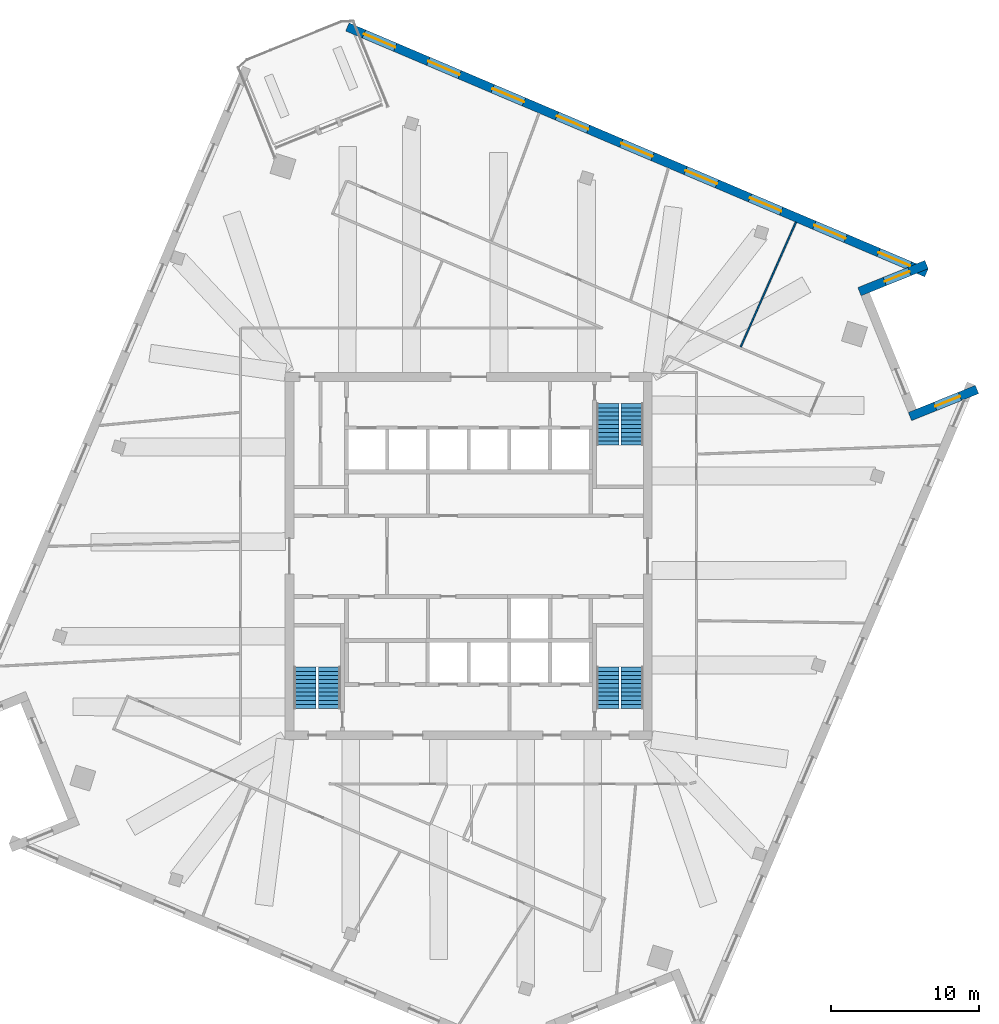
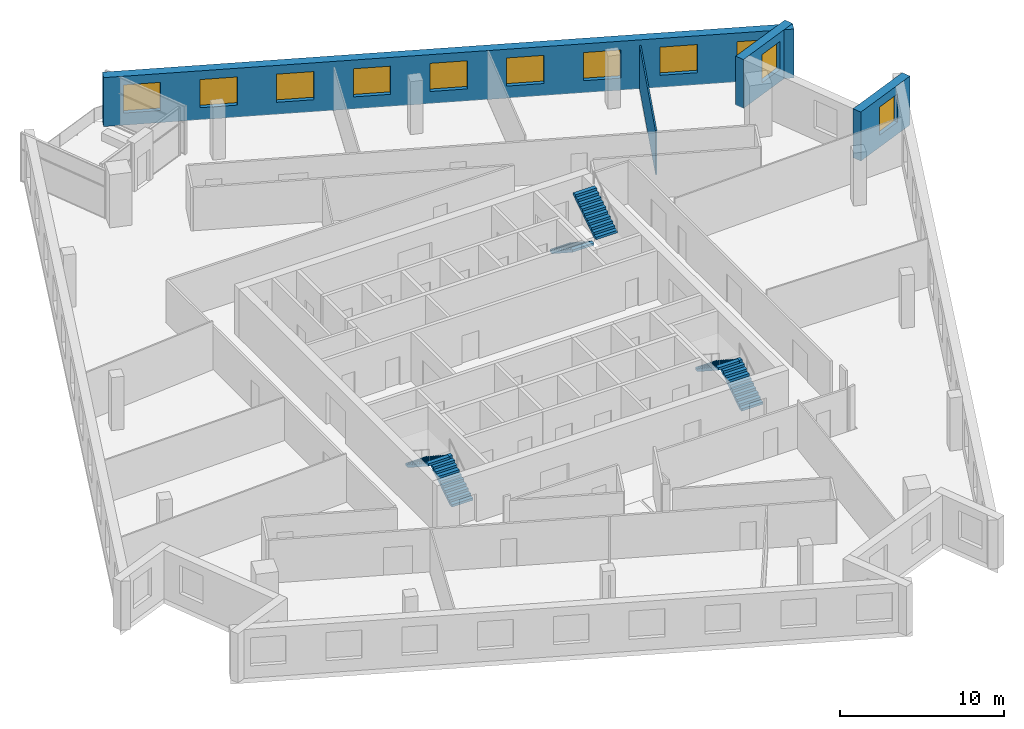
# One storey, part 11 of 13: 11 windows, 6 stair flights, 4 walls, 11 openings, 3 elements without a shape of their own.
"""IFC4 building model written with IfcOpenShell, lengths in metres."""

from ifc_helpers import new_model, si_unit, direction, frame, frame_2d, origin, place, context, subcontext, project, spatial, polyline, rectangle, outline, extrude, material, layer, layer_set, type_object, element, fill, aggregate, save


model = new_model("IFC4")

# Units and contexts
model_context = context("Model", 3, precision=1e-05, world=origin(), true_north=direction((0.0, 1.0)))
body_context = subcontext(model_context, "Body", "Model", "MODEL_VIEW")
ifc_project = project(units=[si_unit("LENGTHUNIT", "METRE"), si_unit("AREAUNIT", "SQUARE_METRE"), si_unit("VOLUMEUNIT", "CUBIC_METRE"), si_unit("PLANEANGLEUNIT", "RADIAN"), si_unit("MASSUNIT", "GRAM", prefix="KILO")], contexts=[model_context])

# Site, building, storey
site_placement = place(None, origin())
site = spatial("IfcSite", under=ifc_project, at=site_placement, CompositionType="ELEMENT")
building_placement = place(site_placement, origin())
building = spatial("IfcBuilding", under=site, at=building_placement, Name="Dilmun Exchange Tower", CompositionType="ELEMENT")
storey_placement = place(building_placement, frame((0.0, 0.0, 296.5)))
storey = spatial("IfcBuildingStorey", under=building, at=storey_placement, Name="L70", CompositionType="ELEMENT", Elevation=296.5)

# Wall
ifc_material_1 = material(Name="Partition 100")
ifc_layer_1 = layer(ifc_material_1, 0.10009765625)
ifc_layer_set_1 = layer_set([ifc_layer_1], Name="Partition 100")
wall_type_1 = type_object("IfcWallType", Name="Partition 100", PredefinedType="PARTITIONING", material=ifc_layer_set_1)
wall_1_placement = place(storey_placement, frame((18.378662109375, 14.13525390625, 0.0), z_axis=(0.0, 0.0, 1.0), x_axis=(0.405094962362, 0.91427461491, 0.0)))
element("IfcWall", 1, at=wall_1_placement, inside=storey, type_object=wall_type_1, Name="Partition", PredefinedType="PARTITIONING", context=body_context, shape_type="SweptSolid", body=[
    extrude(rectangle(XDim=9.20654296875, YDim=0.10009765625, at=frame_2d((4.603271484375, 0.0))), origin(), (0.0, 0.0, 1.0), 3.25),
])

# Wall, opening, window
ifc_material_2 = material(Name="Precast concrete C50/60", Category="concrete")
ifc_layer_2 = layer(ifc_material_2, 0.60009765625)
ifc_layer_set_2 = layer_set([ifc_layer_2], Name="Precast concrete C50/60")
wall_type_2 = type_object("IfcWallType", Name="Precast stone-clad wall 600", PredefinedType="STANDARD", material=ifc_layer_set_2)
wall_2_placement = place(storey_placement, frame((34.339599609375, 11.254638671875, 0.0), z_axis=(0.0, 0.0, 1.0), x_axis=(-0.927189106571, -0.374593593988, 0.0)))
wall_2 = element("IfcWall", 2, at=wall_2_placement, inside=storey, type_object=wall_type_2, Name="Facade wall L70-12", PredefinedType="STANDARD", context=body_context, shape_type="SweptSolid", body=[
    extrude(rectangle(XDim=4.885498046875, YDim=0.60009765625, at=frame_2d((2.44287109375, 0.0))), origin(), (0.0, 0.0, 1.0), 3.64990234375),
])
opening_1_placement = place(wall_2_placement, frame((1.242919921875, 0.0, 0.89990234375)))
opening_1 = element("IfcOpeningElement", 3, at=opening_1_placement, cuts=wall_2, Name="Opening W180-210", PredefinedType="OPENING", context=body_context, shape_type="SweptSolid", body=[
    extrude(rectangle(XDim=1.800048828125, YDim=2.10009765625, at=frame_2d((0.89990234375, 1.050048828125))), frame((0.0, 0.31005859375, 0.0), z_axis=(0.0, -1.0, 0.0), x_axis=(1.0, 0.0, 0.0)), (0.0, 0.0, 1.0), 0.6201171875),
])
ifc_material_3 = material(Name="Clear low-emissivity glass in aluminium frame", Category="aluminium")
window_type_1 = type_object("IfcWindowType", Name="Punched window 1800 x 2100", PartitioningType="DOUBLE_PANEL_VERTICAL", PredefinedType="WINDOW", material=ifc_material_3)
window_1_placement = place(opening_1_placement, origin())
window_1 = element("IfcWindow", 4, at=window_1_placement, inside=storey, type_object=window_type_1, Name="Window 13.1", OverallHeight=2.10009765625, OverallWidth=1.800048828125, PartitioningType="SINGLE_PANEL", PredefinedType="WINDOW", context=body_context, shape_type="SweptSolid", body=[
    extrude(rectangle(XDim=1.800048828125, YDim=2.10009765625, at=frame_2d((0.89990234375, 1.050048828125))), frame((0.0, 0.030029296875, 0.0), z_axis=(0.0, -1.0, 0.0), x_axis=(1.0, 0.0, 0.0)), (0.0, 0.0, 1.0), 0.06005859375),
])
fill(opening_1, window_1)

wall_3_placement = place(storey_placement, frame((26.40087890625, 17.86181640625, 0.0), z_axis=(0.0, 0.0, 1.0), x_axis=(0.927189106571, 0.374593593988, 0.0)))
wall_3 = element("IfcWall", 5, at=wall_3_placement, inside=storey, type_object=wall_type_2, Name="Facade wall L70-14", PredefinedType="STANDARD", context=body_context, shape_type="SweptSolid", body=[
    extrude(rectangle(XDim=4.885498046875, YDim=0.60009765625, at=frame_2d((2.44287109375, 0.0))), origin(), (0.0, 0.0, 1.0), 3.64990234375),
])
opening_2_placement = place(wall_3_placement, frame((1.8427734375, 0.0, 0.89990234375)))
opening_2 = element("IfcOpeningElement", 6, at=opening_2_placement, cuts=wall_3, Name="Opening W180-210", PredefinedType="OPENING", context=body_context, shape_type="SweptSolid", body=[
    extrude(rectangle(XDim=1.800048828125, YDim=2.10009765625, at=frame_2d((0.89990234375, 1.050048828125))), frame((0.0, 0.31005859375, 0.0), z_axis=(0.0, -1.0, 0.0), x_axis=(1.0, 0.0, 0.0)), (0.0, 0.0, 1.0), 0.6201171875),
])
window_2_placement = place(opening_2_placement, origin())
window_2 = element("IfcWindow", 7, at=window_2_placement, inside=storey, type_object=window_type_1, Name="Window 15.1", OverallHeight=2.10009765625, OverallWidth=1.800048828125, PartitioningType="SINGLE_PANEL", PredefinedType="WINDOW", context=body_context, shape_type="SweptSolid", body=[
    extrude(rectangle(XDim=1.800048828125, YDim=2.10009765625, at=frame_2d((0.89990234375, 1.050048828125))), frame((0.0, 0.030029296875, 0.0), z_axis=(0.0, -1.0, 0.0), x_axis=(1.0, 0.0, 0.0)), (0.0, 0.0, 1.0), 0.06005859375),
])
fill(opening_2, window_2)

# Wall, openings, windows
wall_4_placement = place(storey_placement, frame((30.92578125, 19.1376953125, 0.0), z_axis=(0.0, 0.0, 1.0), x_axis=(-0.920504263443, 0.390732518462, 0.0)))
wall_4 = element("IfcWall", 8, at=wall_4_placement, inside=storey, type_object=wall_type_2, Name="Facade wall L70-15", PredefinedType="STANDARD", context=body_context, shape_type="SweptSolid", body=[
    extrude(rectangle(XDim=42.489501953125, YDim=0.60009765625, at=frame_2d((21.24462890625, 0.0))), origin(), (0.0, 0.0, 1.0), 3.64990234375),
])
opening_3_placement = place(wall_4_placement, frame((1.21044921875, 0.0, 0.89990234375)))
opening_3 = element("IfcOpeningElement", 9, at=opening_3_placement, cuts=wall_4, Name="Opening W230-210", PredefinedType="OPENING", context=body_context, shape_type="SweptSolid", body=[
    extrude(rectangle(XDim=2.300048828125, YDim=2.10009765625, at=frame_2d((1.14990234375, 1.050048828125))), frame((0.0, 0.31005859375, 0.0), z_axis=(0.0, -1.0, 0.0), x_axis=(1.0, 0.0, 0.0)), (0.0, 0.0, 1.0), 0.6201171875),
])
opening_4_placement = place(wall_4_placement, frame((5.931640625, 0.0, 0.89990234375)))
opening_4 = element("IfcOpeningElement", 10, at=opening_4_placement, cuts=wall_4, Name="Opening W230-210", PredefinedType="OPENING", context=body_context, shape_type="SweptSolid", body=[
    extrude(rectangle(XDim=2.300048828125, YDim=2.10009765625, at=frame_2d((1.14990234375, 1.050048828125))), frame((0.0, 0.31005859375, 0.0), z_axis=(0.0, -1.0, 0.0), x_axis=(1.0, 0.0, 0.0)), (0.0, 0.0, 1.0), 0.6201171875),
])
opening_5_placement = place(wall_4_placement, frame((10.652587890625, 0.0, 0.89990234375)))
opening_5 = element("IfcOpeningElement", 11, at=opening_5_placement, cuts=wall_4, Name="Opening W230-210", PredefinedType="OPENING", context=body_context, shape_type="SweptSolid", body=[
    extrude(rectangle(XDim=2.300048828125, YDim=2.10009765625, at=frame_2d((1.14990234375, 1.050048828125))), frame((0.0, 0.31005859375, 0.0), z_axis=(0.0, -1.0, 0.0), x_axis=(1.0, 0.0, 0.0)), (0.0, 0.0, 1.0), 0.6201171875),
])
opening_6_placement = place(wall_4_placement, frame((15.373779296875, 0.0, 0.89990234375)))
opening_6 = element("IfcOpeningElement", 12, at=opening_6_placement, cuts=wall_4, Name="Opening W230-210", PredefinedType="OPENING", context=body_context, shape_type="SweptSolid", body=[
    extrude(rectangle(XDim=2.300048828125, YDim=2.10009765625, at=frame_2d((1.14990234375, 1.050048828125))), frame((0.0, 0.31005859375, 0.0), z_axis=(0.0, -1.0, 0.0), x_axis=(1.0, 0.0, 0.0)), (0.0, 0.0, 1.0), 0.6201171875),
])
opening_7_placement = place(wall_4_placement, frame((20.0947265625, 0.0, 0.89990234375)))
opening_7 = element("IfcOpeningElement", 13, at=opening_7_placement, cuts=wall_4, Name="Opening W230-210", PredefinedType="OPENING", context=body_context, shape_type="SweptSolid", body=[
    extrude(rectangle(XDim=2.300048828125, YDim=2.10009765625, at=frame_2d((1.14990234375, 1.050048828125))), frame((0.0, 0.31005859375, 0.0), z_axis=(0.0, -1.0, 0.0), x_axis=(1.0, 0.0, 0.0)), (0.0, 0.0, 1.0), 0.6201171875),
])
opening_8_placement = place(wall_4_placement, frame((24.81591796875, 0.0, 0.89990234375)))
opening_8 = element("IfcOpeningElement", 14, at=opening_8_placement, cuts=wall_4, Name="Opening W230-210", PredefinedType="OPENING", context=body_context, shape_type="SweptSolid", body=[
    extrude(rectangle(XDim=2.300048828125, YDim=2.10009765625, at=frame_2d((1.14990234375, 1.050048828125))), frame((0.0, 0.31005859375, 0.0), z_axis=(0.0, -1.0, 0.0), x_axis=(1.0, 0.0, 0.0)), (0.0, 0.0, 1.0), 0.6201171875),
])
opening_9_placement = place(wall_4_placement, frame((29.536865234375, 0.0, 0.89990234375)))
opening_9 = element("IfcOpeningElement", 15, at=opening_9_placement, cuts=wall_4, Name="Opening W230-210", PredefinedType="OPENING", context=body_context, shape_type="SweptSolid", body=[
    extrude(rectangle(XDim=2.300048828125, YDim=2.10009765625, at=frame_2d((1.14990234375, 1.050048828125))), frame((0.0, 0.31005859375, 0.0), z_axis=(0.0, -1.0, 0.0), x_axis=(1.0, 0.0, 0.0)), (0.0, 0.0, 1.0), 0.6201171875),
])
opening_10_placement = place(wall_4_placement, frame((34.258056640625, 0.0, 0.89990234375)))
opening_10 = element("IfcOpeningElement", 16, at=opening_10_placement, cuts=wall_4, Name="Opening W230-210", PredefinedType="OPENING", context=body_context, shape_type="SweptSolid", body=[
    extrude(rectangle(XDim=2.300048828125, YDim=2.10009765625, at=frame_2d((1.14990234375, 1.050048828125))), frame((0.0, 0.31005859375, 0.0), z_axis=(0.0, -1.0, 0.0), x_axis=(1.0, 0.0, 0.0)), (0.0, 0.0, 1.0), 0.6201171875),
])
opening_11_placement = place(wall_4_placement, frame((38.97900390625, 0.0, 0.89990234375)))
opening_11 = element("IfcOpeningElement", 17, at=opening_11_placement, cuts=wall_4, Name="Opening W230-210", PredefinedType="OPENING", context=body_context, shape_type="SweptSolid", body=[
    extrude(rectangle(XDim=2.300048828125, YDim=2.10009765625, at=frame_2d((1.14990234375, 1.050048828125))), frame((0.0, 0.31005859375, 0.0), z_axis=(0.0, -1.0, 0.0), x_axis=(1.0, 0.0, 0.0)), (0.0, 0.0, 1.0), 0.6201171875),
])
window_type_2 = type_object("IfcWindowType", Name="Punched window 2300 x 2100", PartitioningType="DOUBLE_PANEL_VERTICAL", PredefinedType="WINDOW", material=ifc_material_3)
window_3_placement = place(opening_3_placement, origin())
window_3 = element("IfcWindow", 18, at=window_3_placement, inside=storey, type_object=window_type_2, Name="Window 16.1", OverallHeight=2.10009765625, OverallWidth=2.300048828125, PartitioningType="SINGLE_PANEL", PredefinedType="WINDOW", context=body_context, shape_type="SweptSolid", body=[
    extrude(rectangle(XDim=2.300048828125, YDim=2.10009765625, at=frame_2d((1.14990234375, 1.050048828125))), frame((0.0, 0.030029296875, 0.0), z_axis=(0.0, -1.0, 0.0), x_axis=(1.0, 0.0, 0.0)), (0.0, 0.0, 1.0), 0.06005859375),
])
fill(opening_3, window_3)
window_4_placement = place(opening_4_placement, origin())
window_4 = element("IfcWindow", 19, at=window_4_placement, inside=storey, type_object=window_type_2, Name="Window 16.2", OverallHeight=2.10009765625, OverallWidth=2.300048828125, PartitioningType="SINGLE_PANEL", PredefinedType="WINDOW", context=body_context, shape_type="SweptSolid", body=[
    extrude(rectangle(XDim=2.300048828125, YDim=2.10009765625, at=frame_2d((1.14990234375, 1.050048828125))), frame((0.0, 0.030029296875, 0.0), z_axis=(0.0, -1.0, 0.0), x_axis=(1.0, 0.0, 0.0)), (0.0, 0.0, 1.0), 0.06005859375),
])
fill(opening_4, window_4)
window_5_placement = place(opening_5_placement, origin())
window_5 = element("IfcWindow", 20, at=window_5_placement, inside=storey, type_object=window_type_2, Name="Window 16.3", OverallHeight=2.10009765625, OverallWidth=2.300048828125, PartitioningType="SINGLE_PANEL", PredefinedType="WINDOW", context=body_context, shape_type="SweptSolid", body=[
    extrude(rectangle(XDim=2.300048828125, YDim=2.10009765625, at=frame_2d((1.14990234375, 1.050048828125))), frame((0.0, 0.030029296875, 0.0), z_axis=(0.0, -1.0, 0.0), x_axis=(1.0, 0.0, 0.0)), (0.0, 0.0, 1.0), 0.06005859375),
])
fill(opening_5, window_5)
window_6_placement = place(opening_6_placement, origin())
window_6 = element("IfcWindow", 21, at=window_6_placement, inside=storey, type_object=window_type_2, Name="Window 16.4", OverallHeight=2.10009765625, OverallWidth=2.300048828125, PartitioningType="SINGLE_PANEL", PredefinedType="WINDOW", context=body_context, shape_type="SweptSolid", body=[
    extrude(rectangle(XDim=2.300048828125, YDim=2.10009765625, at=frame_2d((1.14990234375, 1.050048828125))), frame((0.0, 0.030029296875, 0.0), z_axis=(0.0, -1.0, 0.0), x_axis=(1.0, 0.0, 0.0)), (0.0, 0.0, 1.0), 0.06005859375),
])
fill(opening_6, window_6)
window_7_placement = place(opening_7_placement, origin())
window_7 = element("IfcWindow", 22, at=window_7_placement, inside=storey, type_object=window_type_2, Name="Window 16.5", OverallHeight=2.10009765625, OverallWidth=2.300048828125, PartitioningType="SINGLE_PANEL", PredefinedType="WINDOW", context=body_context, shape_type="SweptSolid", body=[
    extrude(rectangle(XDim=2.300048828125, YDim=2.10009765625, at=frame_2d((1.14990234375, 1.050048828125))), frame((0.0, 0.030029296875, 0.0), z_axis=(0.0, -1.0, 0.0), x_axis=(1.0, 0.0, 0.0)), (0.0, 0.0, 1.0), 0.06005859375),
])
fill(opening_7, window_7)
window_8_placement = place(opening_8_placement, origin())
window_8 = element("IfcWindow", 23, at=window_8_placement, inside=storey, type_object=window_type_2, Name="Window 16.6", OverallHeight=2.10009765625, OverallWidth=2.300048828125, PartitioningType="SINGLE_PANEL", PredefinedType="WINDOW", context=body_context, shape_type="SweptSolid", body=[
    extrude(rectangle(XDim=2.300048828125, YDim=2.10009765625, at=frame_2d((1.14990234375, 1.050048828125))), frame((0.0, 0.030029296875, 0.0), z_axis=(0.0, -1.0, 0.0), x_axis=(1.0, 0.0, 0.0)), (0.0, 0.0, 1.0), 0.06005859375),
])
fill(opening_8, window_8)
window_9_placement = place(opening_9_placement, origin())
window_9 = element("IfcWindow", 24, at=window_9_placement, inside=storey, type_object=window_type_2, Name="Window 16.7", OverallHeight=2.10009765625, OverallWidth=2.300048828125, PartitioningType="SINGLE_PANEL", PredefinedType="WINDOW", context=body_context, shape_type="SweptSolid", body=[
    extrude(rectangle(XDim=2.300048828125, YDim=2.10009765625, at=frame_2d((1.14990234375, 1.050048828125))), frame((0.0, 0.030029296875, 0.0), z_axis=(0.0, -1.0, 0.0), x_axis=(1.0, 0.0, 0.0)), (0.0, 0.0, 1.0), 0.06005859375),
])
fill(opening_9, window_9)
window_10_placement = place(opening_10_placement, origin())
window_10 = element("IfcWindow", 25, at=window_10_placement, inside=storey, type_object=window_type_2, Name="Window 16.8", OverallHeight=2.10009765625, OverallWidth=2.300048828125, PartitioningType="SINGLE_PANEL", PredefinedType="WINDOW", context=body_context, shape_type="SweptSolid", body=[
    extrude(rectangle(XDim=2.300048828125, YDim=2.10009765625, at=frame_2d((1.14990234375, 1.050048828125))), frame((0.0, 0.030029296875, 0.0), z_axis=(0.0, -1.0, 0.0), x_axis=(1.0, 0.0, 0.0)), (0.0, 0.0, 1.0), 0.06005859375),
])
fill(opening_10, window_10)
window_11_placement = place(opening_11_placement, origin())
window_11 = element("IfcWindow", 26, at=window_11_placement, inside=storey, type_object=window_type_2, Name="Window 16.9", OverallHeight=2.10009765625, OverallWidth=2.300048828125, PartitioningType="SINGLE_PANEL", PredefinedType="WINDOW", context=body_context, shape_type="SweptSolid", body=[
    extrude(rectangle(XDim=2.300048828125, YDim=2.10009765625, at=frame_2d((1.14990234375, 1.050048828125))), frame((0.0, 0.030029296875, 0.0), z_axis=(0.0, -1.0, 0.0), x_axis=(1.0, 0.0, 0.0)), (0.0, 0.0, 1.0), 0.06005859375),
])
fill(opening_11, window_11)

# Stair, stair flights
ifc_material_4 = material(Name="Concrete C40/50", Category="concrete")
stair_type = type_object("IfcStairType", Name="Exit stair 1500 half-turn", PredefinedType="HALF_TURN_STAIR", material=ifc_material_4)
stair_1_placement = place(storey_placement, origin())
stair_1 = element("IfcStair", 27, at=stair_1_placement, inside=storey, type_object=stair_type, Name="L70 Protected exit stair ST1", PredefinedType="HALF_TURN_STAIR")
stair_flight_type = type_object("IfcStairFlightType", Name="Exit stair flight 1500", PredefinedType="STRAIGHT", material=ifc_material_4)
stair_flight_1_placement = place(storey_placement, frame((9.39990234375, 10.300048828125, 0.0), z_axis=(0.0, 0.0, 1.0), x_axis=(0.0, -1.0, 0.0)))
stair_flight_1 = element("IfcStairFlight", 28, at=stair_flight_1_placement, type_object=stair_flight_type, Name="ST1 flight 1", NumberOfRisers=11, NumberOfTreads=10, PredefinedType="STRAIGHT", RiserHeight=0.181818182, TreadLength=0.28, context=body_context, shape_type="SweptSolid", body=[
    extrude(outline(polyline([(0.0, 0.0), (0.0, 0.181884765625), (0.280029296875, 0.181884765625), (0.280029296875, 0.363525390625), (0.56005859375, 0.363525390625), (0.56005859375, 0.54541015625), (0.840087890625, 0.54541015625), (0.840087890625, 0.727294921875), (1.1201171875, 0.727294921875), (1.1201171875, 0.9091796875), (1.39990234375, 0.9091796875), (1.39990234375, 1.0908203125), (1.679931640625, 1.0908203125), (1.679931640625, 1.272705078125), (1.9599609375, 1.272705078125), (1.9599609375, 1.45458984375), (2.239990234375, 1.45458984375), (2.239990234375, 1.636474609375), (2.52001953125, 1.636474609375), (2.52001953125, 1.818115234375), (2.800048828125, 1.818115234375), (2.800048828125, 2.0), (2.800048828125, 1.639404296875), (0.275146484375, 0.0), (0.0, 0.0)])), frame((0.0, 0.75, 0.0), z_axis=(0.0, -1.0, 0.0), x_axis=(1.0, 0.0, 0.0)), (0.0, 0.0, 1.0), 1.5),
])
stair_flight_2_placement = place(storey_placement, frame((11.050048828125, 7.5, 2.0), z_axis=(0.0, 0.0, 1.0), x_axis=(0.0, 1.0, 0.0)))
stair_flight_2 = element("IfcStairFlight", 29, at=stair_flight_2_placement, type_object=stair_flight_type, Name="ST1 flight 2", NumberOfRisers=11, NumberOfTreads=10, PredefinedType="STRAIGHT", RiserHeight=0.181818182, TreadLength=0.28, context=body_context, shape_type="SweptSolid", body=[
    extrude(outline(polyline([(0.0, 0.0), (0.0, 0.181884765625), (0.280029296875, 0.181884765625), (0.280029296875, 0.363525390625), (0.56005859375, 0.363525390625), (0.56005859375, 0.54541015625), (0.840087890625, 0.54541015625), (0.840087890625, 0.727294921875), (1.1201171875, 0.727294921875), (1.1201171875, 0.9091796875), (1.39990234375, 0.9091796875), (1.39990234375, 1.0908203125), (1.679931640625, 1.0908203125), (1.679931640625, 1.272705078125), (1.9599609375, 1.272705078125), (1.9599609375, 1.45458984375), (2.239990234375, 1.45458984375), (2.239990234375, 1.636474609375), (2.52001953125, 1.636474609375), (2.52001953125, 1.818115234375), (2.800048828125, 1.818115234375), (2.800048828125, 2.0), (2.800048828125, 1.639404296875), (0.275146484375, 0.0), (0.0, 0.0)])), frame((0.0, 0.75, 0.0), z_axis=(0.0, -1.0, 0.0), x_axis=(1.0, 0.0, 0.0)), (0.0, 0.0, 1.0), 1.5),
])
aggregate(stair_1, [stair_flight_1, stair_flight_2])

stair_2_placement = place(storey_placement, origin())
stair_2 = element("IfcStair", 30, at=stair_2_placement, inside=storey, type_object=stair_type, Name="L70 Protected exit stair ST2", PredefinedType="HALF_TURN_STAIR")
stair_flight_3_placement = place(storey_placement, frame((-9.39990234375, -10.300048828125, 0.0), z_axis=(0.0, 0.0, 1.0), x_axis=(0.0, 1.0, 0.0)))
stair_flight_3 = element("IfcStairFlight", 31, at=stair_flight_3_placement, type_object=stair_flight_type, Name="ST2 flight 1", NumberOfRisers=11, NumberOfTreads=10, PredefinedType="STRAIGHT", RiserHeight=0.181818182, TreadLength=0.28, context=body_context, shape_type="SweptSolid", body=[
    extrude(outline(polyline([(0.0, 0.0), (0.0, 0.181884765625), (0.280029296875, 0.181884765625), (0.280029296875, 0.363525390625), (0.56005859375, 0.363525390625), (0.56005859375, 0.54541015625), (0.840087890625, 0.54541015625), (0.840087890625, 0.727294921875), (1.1201171875, 0.727294921875), (1.1201171875, 0.9091796875), (1.39990234375, 0.9091796875), (1.39990234375, 1.0908203125), (1.679931640625, 1.0908203125), (1.679931640625, 1.272705078125), (1.9599609375, 1.272705078125), (1.9599609375, 1.45458984375), (2.239990234375, 1.45458984375), (2.239990234375, 1.636474609375), (2.52001953125, 1.636474609375), (2.52001953125, 1.818115234375), (2.800048828125, 1.818115234375), (2.800048828125, 2.0), (2.800048828125, 1.639404296875), (0.275146484375, 0.0), (0.0, 0.0)])), frame((0.0, 0.75, 0.0), z_axis=(0.0, -1.0, 0.0), x_axis=(1.0, 0.0, 0.0)), (0.0, 0.0, 1.0), 1.5),
])
stair_flight_4_placement = place(storey_placement, frame((-11.050048828125, -7.5, 2.0), z_axis=(0.0, 0.0, 1.0), x_axis=(0.0, -1.0, 0.0)))
stair_flight_4 = element("IfcStairFlight", 32, at=stair_flight_4_placement, type_object=stair_flight_type, Name="ST2 flight 2", NumberOfRisers=11, NumberOfTreads=10, PredefinedType="STRAIGHT", RiserHeight=0.181818182, TreadLength=0.28, context=body_context, shape_type="SweptSolid", body=[
    extrude(outline(polyline([(0.0, 0.0), (0.0, 0.181884765625), (0.280029296875, 0.181884765625), (0.280029296875, 0.363525390625), (0.56005859375, 0.363525390625), (0.56005859375, 0.54541015625), (0.840087890625, 0.54541015625), (0.840087890625, 0.727294921875), (1.1201171875, 0.727294921875), (1.1201171875, 0.9091796875), (1.39990234375, 0.9091796875), (1.39990234375, 1.0908203125), (1.679931640625, 1.0908203125), (1.679931640625, 1.272705078125), (1.9599609375, 1.272705078125), (1.9599609375, 1.45458984375), (2.239990234375, 1.45458984375), (2.239990234375, 1.636474609375), (2.52001953125, 1.636474609375), (2.52001953125, 1.818115234375), (2.800048828125, 1.818115234375), (2.800048828125, 2.0), (2.800048828125, 1.639404296875), (0.275146484375, 0.0), (0.0, 0.0)])), frame((0.0, 0.75, 0.0), z_axis=(0.0, -1.0, 0.0), x_axis=(1.0, 0.0, 0.0)), (0.0, 0.0, 1.0), 1.5),
])
aggregate(stair_2, [stair_flight_3, stair_flight_4])

stair_3_placement = place(storey_placement, origin())
stair_3 = element("IfcStair", 33, at=stair_3_placement, inside=storey, type_object=stair_type, Name="L70 Protected exit stair ST3", PredefinedType="HALF_TURN_STAIR")
stair_flight_5_placement = place(storey_placement, frame((11.050048828125, -10.300048828125, 0.0), z_axis=(0.0, 0.0, 1.0), x_axis=(0.0, 1.0, 0.0)))
stair_flight_5 = element("IfcStairFlight", 34, at=stair_flight_5_placement, type_object=stair_flight_type, Name="ST3 flight 1", NumberOfRisers=11, NumberOfTreads=10, PredefinedType="STRAIGHT", RiserHeight=0.181818182, TreadLength=0.28, context=body_context, shape_type="SweptSolid", body=[
    extrude(outline(polyline([(0.0, 0.0), (0.0, 0.181884765625), (0.280029296875, 0.181884765625), (0.280029296875, 0.363525390625), (0.56005859375, 0.363525390625), (0.56005859375, 0.54541015625), (0.840087890625, 0.54541015625), (0.840087890625, 0.727294921875), (1.1201171875, 0.727294921875), (1.1201171875, 0.9091796875), (1.39990234375, 0.9091796875), (1.39990234375, 1.0908203125), (1.679931640625, 1.0908203125), (1.679931640625, 1.272705078125), (1.9599609375, 1.272705078125), (1.9599609375, 1.45458984375), (2.239990234375, 1.45458984375), (2.239990234375, 1.636474609375), (2.52001953125, 1.636474609375), (2.52001953125, 1.818115234375), (2.800048828125, 1.818115234375), (2.800048828125, 2.0), (2.800048828125, 1.639404296875), (0.275146484375, 0.0), (0.0, 0.0)])), frame((0.0, 0.75, 0.0), z_axis=(0.0, -1.0, 0.0), x_axis=(1.0, 0.0, 0.0)), (0.0, 0.0, 1.0), 1.5),
])
stair_flight_6_placement = place(storey_placement, frame((9.39990234375, -7.5, 2.0), z_axis=(0.0, 0.0, 1.0), x_axis=(0.0, -1.0, 0.0)))
stair_flight_6 = element("IfcStairFlight", 35, at=stair_flight_6_placement, type_object=stair_flight_type, Name="ST3 flight 2", NumberOfRisers=11, NumberOfTreads=10, PredefinedType="STRAIGHT", RiserHeight=0.181818182, TreadLength=0.28, context=body_context, shape_type="SweptSolid", body=[
    extrude(outline(polyline([(0.0, 0.0), (0.0, 0.181884765625), (0.280029296875, 0.181884765625), (0.280029296875, 0.363525390625), (0.56005859375, 0.363525390625), (0.56005859375, 0.54541015625), (0.840087890625, 0.54541015625), (0.840087890625, 0.727294921875), (1.1201171875, 0.727294921875), (1.1201171875, 0.9091796875), (1.39990234375, 0.9091796875), (1.39990234375, 1.0908203125), (1.679931640625, 1.0908203125), (1.679931640625, 1.272705078125), (1.9599609375, 1.272705078125), (1.9599609375, 1.45458984375), (2.239990234375, 1.45458984375), (2.239990234375, 1.636474609375), (2.52001953125, 1.636474609375), (2.52001953125, 1.818115234375), (2.800048828125, 1.818115234375), (2.800048828125, 2.0), (2.800048828125, 1.639404296875), (0.275146484375, 0.0), (0.0, 0.0)])), frame((0.0, 0.75, 0.0), z_axis=(0.0, -1.0, 0.0), x_axis=(1.0, 0.0, 0.0)), (0.0, 0.0, 1.0), 1.5),
])
aggregate(stair_3, [stair_flight_5, stair_flight_6])

save(model, "model.ifc")
